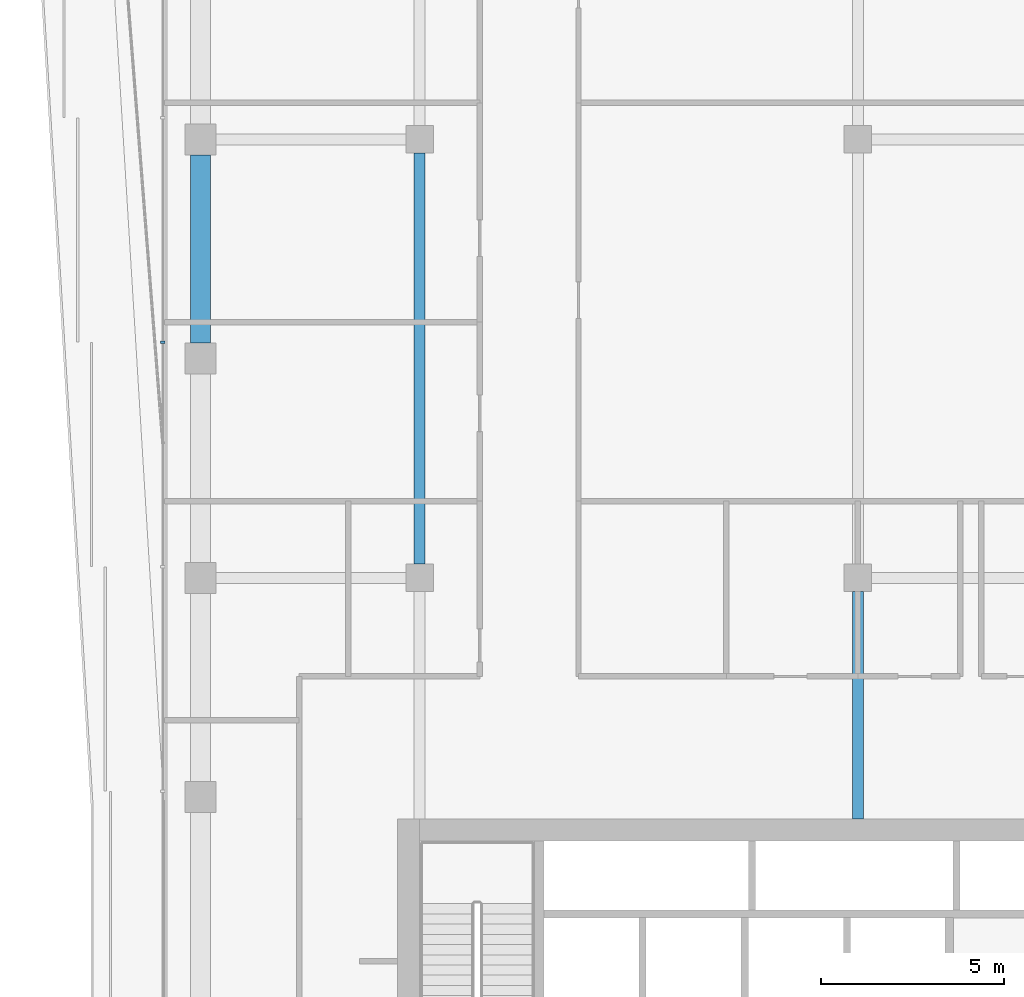
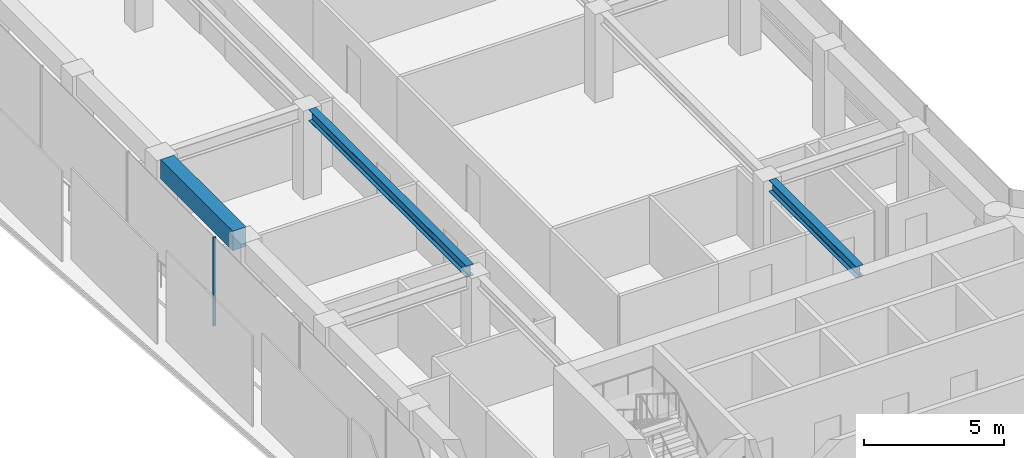
# One storey, part 11 of 21: 3 beams, 1 member, 1 element without a shape of its own.
"""IFC4 building model written with IfcOpenShell, lengths in metres."""

from ifc_helpers import new_model, si_unit, direction, frame, origin, origin_2d, place, context, subcontext, project, spatial, rectangle, i_section, extrude, material, layer, layer_set, material_profile, profile_set, type_object, element, aggregate, save


model = new_model("IFC4")

# Units and contexts
model_context = context("Model", 3, precision=1e-05, world=origin(), true_north=direction((0.0, 1.0)))
body_context = subcontext(model_context, "Body", "Model", "MODEL_VIEW")
ifc_project = project(units=[si_unit("LENGTHUNIT", "METRE"), si_unit("AREAUNIT", "SQUARE_METRE"), si_unit("VOLUMEUNIT", "CUBIC_METRE"), si_unit("PLANEANGLEUNIT", "RADIAN"), si_unit("MASSUNIT", "GRAM", prefix="KILO")], contexts=[model_context])

# Site, building, storey
site_placement = place(None, origin())
site = spatial("IfcSite", under=ifc_project, at=site_placement, CompositionType="ELEMENT")
building_placement = place(site_placement, origin())
building = spatial("IfcBuilding", under=site, at=building_placement, Name="Welwitschia Terrace Campus", CompositionType="ELEMENT")
storey_placement = place(building_placement, frame((0.0, 0.0, 184.39990234375)))
storey = spatial("IfcBuildingStorey", under=building, at=storey_placement, Name="L41", CompositionType="ELEMENT", Elevation=184.39990234375)

# Beams
ifc_material_1 = material(Name="Steel S355", Category="steel")
ifc_material_profile_1 = material_profile(ifc_material_1, i_section(OverallWidth=0.300048828125, OverallDepth=0.489990234375, WebThickness=0.011962890625, FlangeThickness=0.02294921875, FilletRadius=0.027099609375, at=origin_2d()))
ifc_profile_set_1 = profile_set([ifc_material_profile_1], Name="Steel S355")
beam_type_1 = type_object("IfcBeamType", Name="Interior girder HE 500 A", PredefinedType="BEAM", material=ifc_profile_set_1)
beam_1_placement = place(storey_placement, frame((6.0, 32.37548828125, 3.60498046875), z_axis=(0.0, 1.0, 0.0), x_axis=(-1.0, 0.0, 0.0)))
element("IfcBeam", 1, at=beam_1_placement, inside=storey, type_object=beam_type_1, Name="Girder GB4", PredefinedType="BEAM", context=body_context, shape_type="SweptSolid", body=[
    extrude(i_section(OverallWidth=0.300048828125, OverallDepth=0.489990234375, WebThickness=0.011962890625, FlangeThickness=0.02294921875, FilletRadius=0.027099609375, at=origin_2d()), origin(), (0.0, 0.0, 1.0), 11.2490234375),
])
beam_2_placement = place(storey_placement, frame((18.0, 25.40087890625, 3.60498046875), z_axis=(0.0, 1.0, 0.0), x_axis=(-1.0, 0.0, 0.0)))
element("IfcBeam", 2, at=beam_2_placement, inside=storey, type_object=beam_type_1, Name="Girder GB4", PredefinedType="BEAM", context=body_context, shape_type="SweptSolid", body=[
    extrude(i_section(OverallWidth=0.300048828125, OverallDepth=0.489990234375, WebThickness=0.011962890625, FlangeThickness=0.02294921875, FilletRadius=0.027099609375, at=origin_2d()), origin(), (0.0, 0.0, 1.0), 6.2236328125),
])

# Curtain wall, member
ifc_material_2 = material(Name="Bronze anodised aluminium", Category="aluminium")
ifc_layer = layer(ifc_material_2, 0.1201171875)
ifc_layer_set = layer_set([ifc_layer], Name="Bronze anodised aluminium")
curtain_wall_type = type_object("IfcCurtainWallType", Name="Curtain wall CW2 tower 6000", PredefinedType="NOTDEFINED", material=ifc_layer_set)
curtain_wall_placement = place(storey_placement, origin())
curtain_wall = element("IfcCurtainWall", 3, at=curtain_wall_placement, inside=storey, type_object=curtain_wall_type, Name="CW L41.10.0", PredefinedType="NOTDEFINED")
ifc_material_3 = material(Name="Bronze anodised aluminium", Category="aluminium")
ifc_material_profile_2 = material_profile(ifc_material_3, rectangle(XDim=0.1201171875, YDim=0.06005859375, at=origin_2d()))
ifc_profile_set_2 = profile_set([ifc_material_profile_2], Name="Bronze anodised aluminium")
member_type = type_object("IfcMemberType", Name="Mullion 60x120", PredefinedType="MULLION", material=ifc_profile_set_2)
member_placement = place(storey_placement, frame((-1.030029296875, 38.447265625, 0.0), z_axis=(0.0, 0.0, 1.0), x_axis=(1.0, 0.0, 0.0)))
member = element("IfcMember", 4, at=member_placement, type_object=member_type, Name="Mullion L41.10.0.4", PredefinedType="MULLION", context=body_context, shape_type="SweptSolid", body=[
    extrude(rectangle(XDim=0.1201171875, YDim=0.06005859375, at=origin_2d()), origin(), (0.0, 0.0, 1.0), 3.85009765625),
])
aggregate(curtain_wall, [member])

# Beam
ifc_material_4 = material(Name="Concrete C50/60", Category="concrete")
ifc_material_profile_3 = material_profile(ifc_material_4, rectangle(XDim=0.550048828125, YDim=0.85009765625, at=origin_2d()))
ifc_profile_set_3 = profile_set([ifc_material_profile_3], Name="Concrete C50/60")
beam_type_2 = type_object("IfcBeamType", Name="Ring spandrel 550x850", PredefinedType="SPANDREL", material=ifc_profile_set_3)
beam_3_placement = place(storey_placement, frame((0.0, 43.574462890625, 3.425048828125), z_axis=(0.0, -1.0, 0.0), x_axis=(1.0, 0.0, 0.0)))
element("IfcBeam", 5, at=beam_3_placement, inside=storey, type_object=beam_type_2, Name="Spandrel SP3", PredefinedType="SPANDREL", context=body_context, shape_type="SweptSolid", body=[
    extrude(rectangle(XDim=0.550048828125, YDim=0.85009765625, at=origin_2d()), origin(), (0.0, 0.0, 1.0), 5.14892578125),
])

save(model, "model.ifc")
